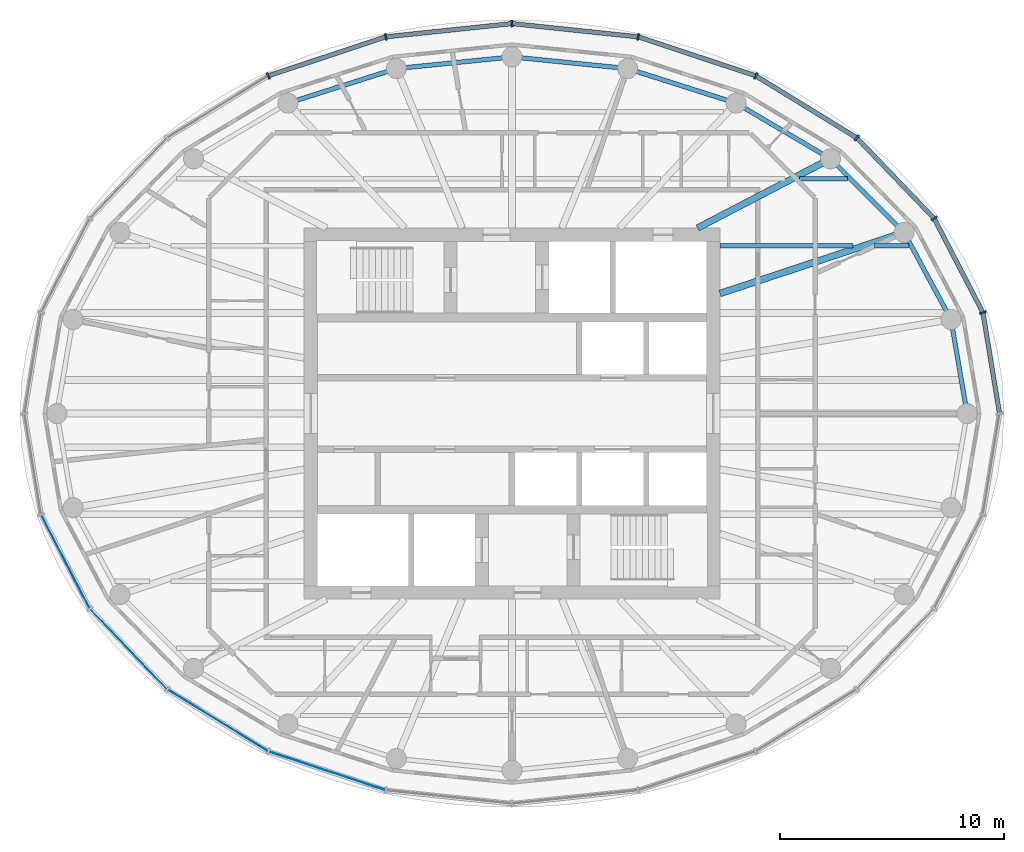
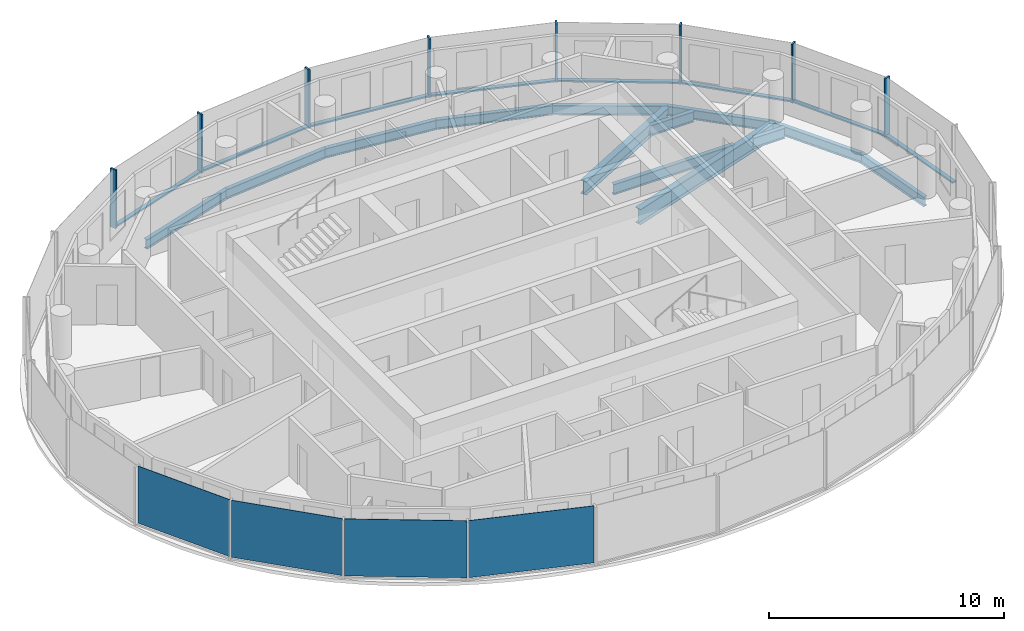
# One storey, part 3 of 11: 16 members, 13 beams, 4 plates, 3 elements without a shape of their own.
"""IFC4 building model written with IfcOpenShell, lengths in metres."""

from ifc_helpers import new_model, si_unit, direction, frame, origin, origin_2d, place, context, subcontext, project, spatial, rectangle, i_section, extrude, material, layer, layer_set, material_profile, profile_set, type_object, element, aggregate, save


model = new_model("IFC4")

# Units and contexts
model_context = context("Model", 3, precision=1e-05, world=origin(), true_north=direction((0.0, 1.0)))
body_context = subcontext(model_context, "Body", "Model", "MODEL_VIEW")
ifc_project = project(units=[si_unit("LENGTHUNIT", "METRE"), si_unit("AREAUNIT", "SQUARE_METRE"), si_unit("VOLUMEUNIT", "CUBIC_METRE"), si_unit("PLANEANGLEUNIT", "RADIAN"), si_unit("MASSUNIT", "GRAM", prefix="KILO")], contexts=[model_context])

# Site, building, storey
site_placement = place(None, origin())
site = spatial("IfcSite", under=ifc_project, at=site_placement, CompositionType="ELEMENT")
building_placement = place(site_placement, origin())
building = spatial("IfcBuilding", under=site, at=building_placement, Name="Hankou Lantern Tower", CompositionType="ELEMENT")
storey_placement = place(building_placement, frame((0.0, 0.0, 229.199951171875)))
storey = spatial("IfcBuildingStorey", under=building, at=storey_placement, Name="L62", CompositionType="ELEMENT", Elevation=229.199951171875)

# Beams
ifc_material_1 = material(Name="Steel Q355B", Category="steel")
ifc_material_profile_1 = material_profile(ifc_material_1, i_section(OverallWidth=0.199951171875, OverallDepth=0.5, WebThickness=0.010009765625, FlangeThickness=0.01611328125, FilletRadius=0.012939453125, at=origin_2d()), Name="HN500x200x10x16")
ifc_profile_set_1 = profile_set([ifc_material_profile_1], Name="Steel Q355B")
beam_type_1 = type_object("IfcBeamType", Name="EB5 RING BEAM HN500x200x10x16", PredefinedType="SPANDREL", material=ifc_profile_set_1)
beam_1_placement = place(storey_placement, frame((20.35009765625, 0.0, -0.429931640625), z_axis=(-0.168876512999, 0.98563721691, 0.0), x_axis=(-0.98563721691, -0.168876512999, 0.0)))
element("IfcBeam", 1, at=beam_1_placement, inside=storey, type_object=beam_type_1, Name="Ring beam R01-R02 L62", PredefinedType="SPANDREL", context=body_context, shape_type="SweptSolid", body=[
    extrude(i_section(OverallWidth=0.199951171875, OverallDepth=0.5, WebThickness=0.010009765625, FlangeThickness=0.01611328125, FilletRadius=0.012939453125, at=origin_2d()), origin(), (0.0, 0.0, 1.0), 4.26904296875),
])
beam_2_placement = place(storey_placement, frame((19.629150390625, 4.207763671875, -0.429931640625), z_axis=(-0.474491806611, 0.880259919262, 0.0), x_axis=(-0.880259919262, -0.474491806611, 0.0)))
element("IfcBeam", 2, at=beam_2_placement, inside=storey, type_object=beam_type_1, Name="Ring beam R02-R03 L62", PredefinedType="SPANDREL", context=body_context, shape_type="SweptSolid", body=[
    extrude(i_section(OverallWidth=0.199951171875, OverallDepth=0.5, WebThickness=0.010009765625, FlangeThickness=0.01611328125, FilletRadius=0.012939453125, at=origin_2d()), origin(), (0.0, 0.0, 1.0), 4.419189453125),
])
beam_3_placement = place(storey_placement, frame((17.5322265625, 8.097900390625, -0.429931640625), z_axis=(-0.706608588034, 0.707604623583, 0.0), x_axis=(-0.707604623583, -0.706608588034, 0.0)))
element("IfcBeam", 3, at=beam_3_placement, inside=storey, type_object=beam_type_1, Name="Ring beam R03-R04 L62", PredefinedType="SPANDREL", context=body_context, shape_type="SweptSolid", body=[
    extrude(i_section(OverallWidth=0.199951171875, OverallDepth=0.5, WebThickness=0.010009765625, FlangeThickness=0.01611328125, FilletRadius=0.012939453125, at=origin_2d()), origin(), (0.0, 0.0, 1.0), 4.6572265625),
])
beam_4_placement = place(storey_placement, frame((14.241455078125, 11.393310546875, -0.429931640625), z_axis=(-0.861422897323, 0.507888365655, 0.0), x_axis=(-0.507888365655, -0.861422897323, 0.0)))
element("IfcBeam", 4, at=beam_4_placement, inside=storey, type_object=beam_type_1, Name="Ring beam R04-R05 L62", PredefinedType="SPANDREL", context=body_context, shape_type="SweptSolid", body=[
    extrude(i_section(OverallWidth=0.199951171875, OverallDepth=0.5, WebThickness=0.010009765625, FlangeThickness=0.01611328125, FilletRadius=0.012939453125, at=origin_2d()), origin(), (0.0, 0.0, 1.0), 4.901611328125),
])
beam_5_placement = place(storey_placement, frame((10.01904296875, 13.8828125, -0.429931640625), z_axis=(-0.952887359315, 0.303324381574, 0.0), x_axis=(-0.303324381574, -0.952887359315, 0.0)))
element("IfcBeam", 5, at=beam_5_placement, inside=storey, type_object=beam_type_1, Name="Ring beam R05-R06 L62", PredefinedType="SPANDREL", context=body_context, shape_type="SweptSolid", body=[
    extrude(i_section(OverallWidth=0.199951171875, OverallDepth=0.5, WebThickness=0.010009765625, FlangeThickness=0.01611328125, FilletRadius=0.012939453125, at=origin_2d()), origin(), (0.0, 0.0, 1.0), 5.091796875),
])
for number, where, z_axis, x_axis, name in (
    (6, (5.167236328125, 15.42724609375, -0.429931640625), (-0.994922507736, 0.100643944676, 0.0), (-0.100643944676, -0.994922507736, 0.0), "Ring beam R06-R07 L62"),
    (7, (0.0, 15.949951171875, -0.429931640625), (-0.994922507736, -0.100643944676, 0.0), (0.100643944676, -0.994922507736, 0.0), "Ring beam R07-R08 L62"),
):
    element("IfcBeam", number, at=place(storey_placement, frame(where, z_axis=z_axis, x_axis=x_axis)), inside=storey, type_object=beam_type_1, Name=name, PredefinedType="SPANDREL", context=body_context, shape_type="SweptSolid", body=[
        extrude(i_section(OverallWidth=0.199951171875, OverallDepth=0.5, WebThickness=0.010009765625, FlangeThickness=0.01611328125, FilletRadius=0.012939453125, at=origin_2d()), origin(), (0.0, 0.0, 1.0), 5.193603515625),
    ])
beam_6_placement = place(storey_placement, frame((-5.167236328125, 15.42724609375, -0.429931640625), z_axis=(-0.952887359315, -0.303324381574, 0.0), x_axis=(0.303324381574, -0.952887359315, 0.0)))
element("IfcBeam", 8, at=beam_6_placement, inside=storey, type_object=beam_type_1, Name="Ring beam R08-R09 L62", PredefinedType="SPANDREL", context=body_context, shape_type="SweptSolid", body=[
    extrude(i_section(OverallWidth=0.199951171875, OverallDepth=0.5, WebThickness=0.010009765625, FlangeThickness=0.01611328125, FilletRadius=0.012939453125, at=origin_2d()), origin(), (0.0, 0.0, 1.0), 5.091796875),
])

# Curtain wall, members
ifc_material_2 = material(Name="Glass, dark grey tinted laminated", Category="glass")
curtain_wall_type = type_object("IfcCurtainWallType", Name="CWD OUTER SKIN SUITE", PredefinedType="USERDEFINED", material=ifc_material_2)
curtain_wall_1_placement = place(storey_placement, origin())
curtain_wall_1 = element("IfcCurtainWall", 9, at=curtain_wall_1_placement, inside=storey, type_object=curtain_wall_type, Name="CWD L62 OS1", ObjectType="OUTER SKIN SUITE", PredefinedType="USERDEFINED")
ifc_material_3 = material(Name="Aluminium, black anodised", Category="aluminium")
ifc_material_profile_2 = material_profile(ifc_material_3, rectangle(XDim=0.080078125, YDim=0.300048828125, at=origin_2d()), Name="MU1 80X300")
ifc_profile_set_2 = profile_set([ifc_material_profile_2], Name="Aluminium, black anodised")
member_type_1 = type_object("IfcMemberType", Name="MU1 OUTER SKIN MULLION 80X300", PredefinedType="MULLION", material=ifc_profile_set_2)
member_1_placement = place(storey_placement, frame((21.05712890625, 4.513916015625, 0.0), z_axis=(0.0, 0.0, 1.0), x_axis=(-0.317595577365, 0.94822626479, 0.0)))
member_1 = element("IfcMember", 10, at=member_1_placement, type_object=member_type_1, Name="CWD mullion 2", PredefinedType="MULLION", context=body_context, shape_type="SweptSolid", body=[
    extrude(rectangle(XDim=0.080078125, YDim=0.300048828125, at=origin_2d()), origin(), (0.0, 0.0, 1.0), 3.050048828125),
])
member_2_placement = place(storey_placement, frame((18.87939453125, 8.719970703125, 0.0), z_axis=(0.0, 0.0, 1.0), x_axis=(-0.585205735974, 0.810884854084, 0.0)))
member_2 = element("IfcMember", 11, at=member_2_placement, type_object=member_type_1, Name="CWD mullion 3", PredefinedType="MULLION", context=body_context, shape_type="SweptSolid", body=[
    extrude(rectangle(XDim=0.080078125, YDim=0.300048828125, at=origin_2d()), origin(), (0.0, 0.0, 1.0), 3.050048828125),
])
member_3_placement = place(storey_placement, frame((15.4150390625, 12.33203125, 0.0), z_axis=(0.0, 0.0, 1.0), x_axis=(-0.780868809444, 0.624695047553, 0.0)))
member_3 = element("IfcMember", 12, at=member_3_placement, type_object=member_type_1, Name="CWD mullion 4", PredefinedType="MULLION", context=body_context, shape_type="SweptSolid", body=[
    extrude(rectangle(XDim=0.080078125, YDim=0.300048828125, at=origin_2d()), origin(), (0.0, 0.0, 1.0), 3.050048828125),
])
member_4_placement = place(storey_placement, frame((10.89990234375, 15.103515625, 0.0), z_axis=(0.0, 0.0, 1.0), x_axis=(-0.907841299004, 0.419313934686, 0.0)))
member_4 = element("IfcMember", 13, at=member_4_placement, type_object=member_type_1, Name="CWD mullion 5", PredefinedType="MULLION", context=body_context, shape_type="SweptSolid", body=[
    extrude(rectangle(XDim=0.080078125, YDim=0.300048828125, at=origin_2d()), origin(), (0.0, 0.0, 1.0), 3.050048828125),
])
member_5_placement = place(storey_placement, frame((5.642333984375, 16.845703125, 0.0), z_axis=(0.0, 0.0, 1.0), x_axis=(-0.977787659625, 0.209597931016, 0.0)))
member_5 = element("IfcMember", 14, at=member_5_placement, type_object=member_type_1, Name="CWD mullion 6", PredefinedType="MULLION", context=body_context, shape_type="SweptSolid", body=[
    extrude(rectangle(XDim=0.080078125, YDim=0.300048828125, at=origin_2d()), origin(), (0.0, 0.0, 1.0), 3.050048828125),
])

curtain_wall_2_placement = place(storey_placement, origin())
curtain_wall_2 = element("IfcCurtainWall", 15, at=curtain_wall_2_placement, inside=storey, type_object=curtain_wall_type, Name="CWD L62 OS2", ObjectType="OUTER SKIN SUITE", PredefinedType="USERDEFINED")
member_6_placement = place(storey_placement, frame((0.0, 17.43994140625, 0.0), z_axis=(0.0, 0.0, 1.0), x_axis=(-0.994499359107, -0.104742659579, 0.0)))
member_6 = element("IfcMember", 16, at=member_6_placement, type_object=member_type_1, Name="CWD mullion 1", PredefinedType="MULLION", context=body_context, shape_type="SweptSolid", body=[
    extrude(rectangle(XDim=0.080078125, YDim=0.300048828125, at=origin_2d()), origin(), (0.0, 0.0, 1.0), 3.050048828125),
])
member_7_placement = place(storey_placement, frame((-5.642333984375, 16.845703125, 0.0), z_axis=(0.0, 0.0, 1.0), x_axis=(-0.977787659625, -0.209597931016, 0.0)))
member_7 = element("IfcMember", 17, at=member_7_placement, type_object=member_type_1, Name="CWD mullion 2", PredefinedType="MULLION", context=body_context, shape_type="SweptSolid", body=[
    extrude(rectangle(XDim=0.080078125, YDim=0.300048828125, at=origin_2d()), origin(), (0.0, 0.0, 1.0), 3.050048828125),
])
member_8_placement = place(storey_placement, frame((-10.89990234375, 15.103515625, 0.0), z_axis=(0.0, 0.0, 1.0), x_axis=(-0.907841299004, -0.419313934686, 0.0)))
member_8 = element("IfcMember", 18, at=member_8_placement, type_object=member_type_1, Name="CWD mullion 3", PredefinedType="MULLION", context=body_context, shape_type="SweptSolid", body=[
    extrude(rectangle(XDim=0.080078125, YDim=0.300048828125, at=origin_2d()), origin(), (0.0, 0.0, 1.0), 3.050048828125),
])

# Beams
ifc_material_4 = material(Name="Steel Q355B", Category="steel")
ifc_material_profile_3 = material_profile(ifc_material_4, i_section(OverallWidth=0.300048828125, OverallDepth=0.800048828125, WebThickness=0.013916015625, FlangeThickness=0.02587890625, FilletRadius=0.01806640625, at=origin_2d()), Name="HN800x300x14x26")
ifc_profile_set_3 = profile_set([ifc_material_profile_3], Name="Steel Q355B")
beam_type_2 = type_object("IfcBeamType", Name="RB11 RADIAL BEAM HN800x300x14x26", PredefinedType="BEAM", material=ifc_profile_set_3)
beam_7_placement = place(storey_placement, frame((9.300048828125, 5.369384765625, -0.579833984375), z_axis=(0.949219608576, 0.314614263337, 0.0), x_axis=(-0.314614263337, 0.949219608576, 0.0)))
element("IfcBeam", 19, at=beam_7_placement, inside=storey, type_object=beam_type_2, Name="Radial beam R03 L62", PredefinedType="BEAM", context=body_context, shape_type="SweptSolid", body=[
    extrude(i_section(OverallWidth=0.300048828125, OverallDepth=0.800048828125, WebThickness=0.013916015625, FlangeThickness=0.02587890625, FilletRadius=0.01806640625, at=origin_2d()), origin(), (0.0, 0.0, 1.0), 8.672607421875),
])
ifc_material_5 = material(Name="Steel Q355B", Category="steel")
ifc_material_profile_4 = material_profile(ifc_material_5, i_section(OverallWidth=0.300048828125, OverallDepth=0.699951171875, WebThickness=0.012939453125, FlangeThickness=0.02392578125, FilletRadius=0.01806640625, at=origin_2d()), Name="HN700x300x13x24")
ifc_profile_set_4 = profile_set([ifc_material_profile_4], Name="Steel Q355B")
beam_type_3 = type_object("IfcBeamType", Name="RB9 RADIAL BEAM HN700x300x13x24", PredefinedType="BEAM", material=ifc_profile_set_4)
beam_8_placement = place(storey_placement, frame((8.300048828125, 8.300048828125, -0.530029296875), z_axis=(0.886988734783, 0.461791061378, 0.0), x_axis=(-0.461791061378, 0.886988734783, 0.0)))
element("IfcBeam", 20, at=beam_8_placement, inside=storey, type_object=beam_type_3, Name="Radial beam R04 L62", PredefinedType="BEAM", context=body_context, shape_type="SweptSolid", body=[
    extrude(i_section(OverallWidth=0.300048828125, OverallDepth=0.699951171875, WebThickness=0.012939453125, FlangeThickness=0.02392578125, FilletRadius=0.01806640625, at=origin_2d()), origin(), (0.0, 0.0, 1.0), 6.698486328125),
])
ifc_material_6 = material(Name="Steel Q355B", Category="steel")
ifc_material_profile_5 = material_profile(ifc_material_6, i_section(OverallWidth=0.199951171875, OverallDepth=0.550048828125, WebThickness=0.010009765625, FlangeThickness=0.01611328125, FilletRadius=0.012939453125, at=origin_2d()), Name="HN550x200x10x16")
ifc_profile_set_5 = profile_set([ifc_material_profile_5], Name="Steel Q355B")
beam_type_4 = type_object("IfcBeamType", Name="SB6 SECONDARY BEAM HN550x200x10x16", PredefinedType="JOIST", material=ifc_profile_set_5)
beam_9_placement = place(storey_placement, frame((9.300048828125, 7.5, -0.454833984375), z_axis=(1.0, 0.0, 0.0), x_axis=(0.0, 1.0, 0.0)))
element("IfcBeam", 21, at=beam_9_placement, inside=storey, type_object=beam_type_4, Name="Floor joist J027 L62", PredefinedType="JOIST", context=body_context, shape_type="SweptSolid", body=[
    extrude(i_section(OverallWidth=0.199951171875, OverallDepth=0.550048828125, WebThickness=0.010009765625, FlangeThickness=0.01611328125, FilletRadius=0.012939453125, at=origin_2d()), origin(), (0.0, 0.0, 1.0), 5.95166015625),
])
beam_10_placement = place(storey_placement, frame((16.205322265625, 7.5, -0.454833984375), z_axis=(1.0, 0.0, 0.0), x_axis=(0.0, 1.0, 0.0)))
element("IfcBeam", 22, at=beam_10_placement, inside=storey, type_object=beam_type_4, Name="Floor joist J028 L62", PredefinedType="JOIST", context=body_context, shape_type="SweptSolid", body=[
    extrude(i_section(OverallWidth=0.199951171875, OverallDepth=0.550048828125, WebThickness=0.010009765625, FlangeThickness=0.01611328125, FilletRadius=0.012939453125, at=origin_2d()), origin(), (0.0, 0.0, 1.0), 1.53564453125),
])
beam_11_placement = place(storey_placement, frame((12.8505859375, 10.5, -0.454833984375), z_axis=(1.0, 0.0, 0.0), x_axis=(0.0, 1.0, 0.0)))
element("IfcBeam", 23, at=beam_11_placement, inside=storey, type_object=beam_type_4, Name="Floor joist J036 L62", PredefinedType="JOIST", context=body_context, shape_type="SweptSolid", body=[
    extrude(i_section(OverallWidth=0.199951171875, OverallDepth=0.550048828125, WebThickness=0.010009765625, FlangeThickness=0.01611328125, FilletRadius=0.012939453125, at=origin_2d()), origin(), (0.0, 0.0, 1.0), 2.1416015625),
])

# Member
ifc_material_7 = material(Name="Aluminium, black anodised", Category="aluminium")
ifc_material_profile_6 = material_profile(ifc_material_7, rectangle(XDim=0.199951171875, YDim=0.080078125, at=origin_2d()), Name="TR1 200X80")
ifc_profile_set_6 = profile_set([ifc_material_profile_6], Name="Aluminium, black anodised")
member_type_2 = type_object("IfcMemberType", Name="TR1 OUTER SKIN TRANSOM 200X80", PredefinedType="USERDEFINED", material=ifc_profile_set_6)
member_9_placement = place(storey_placement, frame((21.79345703125, 0.03955078125, 0.0400390625), z_axis=(-0.162363822839, 0.986730960816, 0.0), x_axis=(-0.986730960816, -0.162363822839, 0.0)))
member_9 = element("IfcMember", 24, at=member_9_placement, type_object=member_type_2, Name="CWD transom 1", ObjectType="TRANSOM", PredefinedType="USERDEFINED", context=body_context, shape_type="SweptSolid", body=[
    extrude(rectangle(XDim=0.199951171875, YDim=0.080078125, at=origin_2d()), origin(), (0.0, 0.0, 1.0), 4.494384765625),
])

member_10_placement = place(storey_placement, frame((21.038818359375, 4.54931640625, 0.0400390625), z_axis=(-0.45979371115, 0.888025755925, 0.0), x_axis=(-0.888025755925, -0.45979371115, 0.0)))
member_10 = element("IfcMember", 25, at=member_10_placement, type_object=member_type_2, Name="CWD transom 2", ObjectType="TRANSOM", PredefinedType="USERDEFINED", context=body_context, shape_type="SweptSolid", body=[
    extrude(rectangle(XDim=0.199951171875, YDim=0.080078125, at=origin_2d()), origin(), (0.0, 0.0, 1.0), 4.65673828125),
])

member_11_placement = place(storey_placement, frame((18.8515625, 8.748779296875, 0.0400390625), z_axis=(-0.692204633274, 0.721701285626, 0.0), x_axis=(-0.721701285626, -0.692204633274, 0.0)))
member_11 = element("IfcMember", 26, at=member_11_placement, type_object=member_type_2, Name="CWD transom 3", ObjectType="TRANSOM", PredefinedType="USERDEFINED", context=body_context, shape_type="SweptSolid", body=[
    extrude(rectangle(XDim=0.199951171875, YDim=0.080078125, at=origin_2d()), origin(), (0.0, 0.0, 1.0), 4.9248046875),
])

member_12_placement = place(storey_placement, frame((15.380859375, 12.352783203125, 0.0400390625), z_axis=(-0.852234544008, 0.523159900986, 0.0), x_axis=(-0.523159900986, -0.852234544008, 0.0)))
member_12 = element("IfcMember", 27, at=member_12_placement, type_object=member_type_2, Name="CWD transom 4", ObjectType="TRANSOM", PredefinedType="USERDEFINED", context=body_context, shape_type="SweptSolid", body=[
    extrude(rectangle(XDim=0.199951171875, YDim=0.080078125, at=origin_2d()), origin(), (0.0, 0.0, 1.0), 5.2177734375),
])

member_13_placement = place(storey_placement, frame((10.862060546875, 15.115966796875, 0.0400390625), z_axis=(-0.949231947668, 0.314577032739, 0.0), x_axis=(-0.314577032739, -0.949231947668, 0.0)))
member_13 = element("IfcMember", 28, at=member_13_placement, type_object=member_type_2, Name="CWD transom 5", ObjectType="TRANSOM", PredefinedType="USERDEFINED", context=body_context, shape_type="SweptSolid", body=[
    extrude(rectangle(XDim=0.199951171875, YDim=0.080078125, at=origin_2d()), origin(), (0.0, 0.0, 1.0), 5.458984375),
])

member_14_placement = place(storey_placement, frame((5.6025390625, 16.849853515625, 0.0400390625), z_axis=(-0.994498275726, 0.104752945435, 0.0), x_axis=(-0.104752945435, -0.994498275726, 0.0)))
member_14 = element("IfcMember", 29, at=member_14_placement, type_object=member_type_2, Name="CWD transom 6", ObjectType="TRANSOM", PredefinedType="USERDEFINED", context=body_context, shape_type="SweptSolid", body=[
    extrude(rectangle(XDim=0.199951171875, YDim=0.080078125, at=origin_2d()), origin(), (0.0, 0.0, 1.0), 5.593505859375),
])

aggregate(curtain_wall_1, [member_1, member_2, member_3, member_4, member_5, member_9, member_10, member_11, member_12, member_13, member_14])

member_15_placement = place(storey_placement, frame((-0.039794921875, 17.435791015625, 0.0400390625), z_axis=(-0.994498275726, -0.104752945435, 0.0), x_axis=(0.104752945435, -0.994498275726, 0.0)))
member_15 = element("IfcMember", 30, at=member_15_placement, type_object=member_type_2, Name="CWD transom 1", ObjectType="TRANSOM", PredefinedType="USERDEFINED", context=body_context, shape_type="SweptSolid", body=[
    extrude(rectangle(XDim=0.199951171875, YDim=0.080078125, at=origin_2d()), origin(), (0.0, 0.0, 1.0), 5.593505859375),
])

member_16_placement = place(storey_placement, frame((-5.68017578125, 16.833251953125, 0.0400390625), z_axis=(-0.949231947668, -0.314577032739, 0.0), x_axis=(0.314577032739, -0.949231947668, 0.0)))
member_16 = element("IfcMember", 31, at=member_16_placement, type_object=member_type_2, Name="CWD transom 2", ObjectType="TRANSOM", PredefinedType="USERDEFINED", context=body_context, shape_type="SweptSolid", body=[
    extrude(rectangle(XDim=0.199951171875, YDim=0.080078125, at=origin_2d()), origin(), (0.0, 0.0, 1.0), 5.458984375),
])

aggregate(curtain_wall_2, [member_6, member_7, member_8, member_15, member_16])

# Curtain wall, plates
curtain_wall_3_placement = place(storey_placement, origin())
curtain_wall_3 = element("IfcCurtainWall", 32, at=curtain_wall_3_placement, inside=storey, type_object=curtain_wall_type, Name="CWD L62 OS3", ObjectType="OUTER SKIN SUITE", PredefinedType="USERDEFINED")
ifc_material_8 = material(Name="Glass, dark grey tinted laminated", Category="glass")
ifc_layer = layer(ifc_material_8, 0.02392578125)
ifc_layer_set = layer_set([ifc_layer], Name="Glass, dark grey tinted laminated")
plate_type = type_object("IfcPlateType", Name="PN1 OUTER SKIN GLASS PANEL", PredefinedType="CURTAIN_PANEL", material=ifc_layer_set)
plate_1_placement = place(storey_placement, frame((-19.96826171875, -6.616943359375, 0.080078125), z_axis=(0.0, 0.0, 1.0), x_axis=(0.459791091957, -0.888027112062, 0.0)))
plate_1 = element("IfcPlate", 33, at=plate_1_placement, type_object=plate_type, Name="CWD glass panel 2", PredefinedType="CURTAIN_PANEL", context=body_context, shape_type="SweptSolid", body=[
    extrude(rectangle(XDim=4.656494140625, YDim=0.02392578125, at=origin_2d()), origin(), (0.0, 0.0, 1.0), 2.969970703125),
])
plate_2_placement = place(storey_placement, frame((-17.147216796875, -10.52587890625, 0.080078125), z_axis=(0.0, 0.0, 1.0), x_axis=(0.692215809936, -0.721690565599, 0.0)))
plate_2 = element("IfcPlate", 34, at=plate_2_placement, type_object=plate_type, Name="CWD glass panel 3", PredefinedType="CURTAIN_PANEL", context=body_context, shape_type="SweptSolid", body=[
    extrude(rectangle(XDim=4.9248046875, YDim=0.02392578125, at=origin_2d()), origin(), (0.0, 0.0, 1.0), 2.969970703125),
])
plate_3_placement = place(storey_placement, frame((-13.157470703125, -13.7177734375, 0.080078125), z_axis=(0.0, 0.0, 1.0), x_axis=(0.852237151549, -0.523155653242, 0.0)))
plate_3 = element("IfcPlate", 35, at=plate_3_placement, type_object=plate_type, Name="CWD glass panel 4", PredefinedType="CURTAIN_PANEL", context=body_context, shape_type="SweptSolid", body=[
    extrude(rectangle(XDim=5.2177734375, YDim=0.02392578125, at=origin_2d()), origin(), (0.0, 0.0, 1.0), 2.969970703125),
])
plate_4_placement = place(storey_placement, frame((-8.271240234375, -15.974609375, 0.080078125), z_axis=(0.0, 0.0, 1.0), x_axis=(0.949240677293, -0.31455068999, 0.0)))
plate_4 = element("IfcPlate", 36, at=plate_4_placement, type_object=plate_type, Name="CWD glass panel 5", PredefinedType="CURTAIN_PANEL", context=body_context, shape_type="SweptSolid", body=[
    extrude(rectangle(XDim=5.458984375, YDim=0.02392578125, at=origin_2d()), origin(), (0.0, 0.0, 1.0), 2.969970703125),
])
aggregate(curtain_wall_3, [plate_1, plate_2, plate_3, plate_4])

save(model, "model.ifc")
